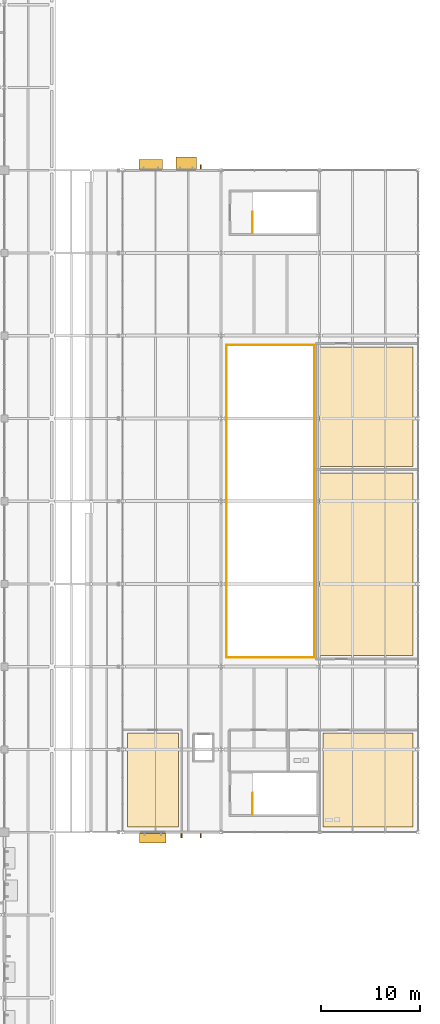
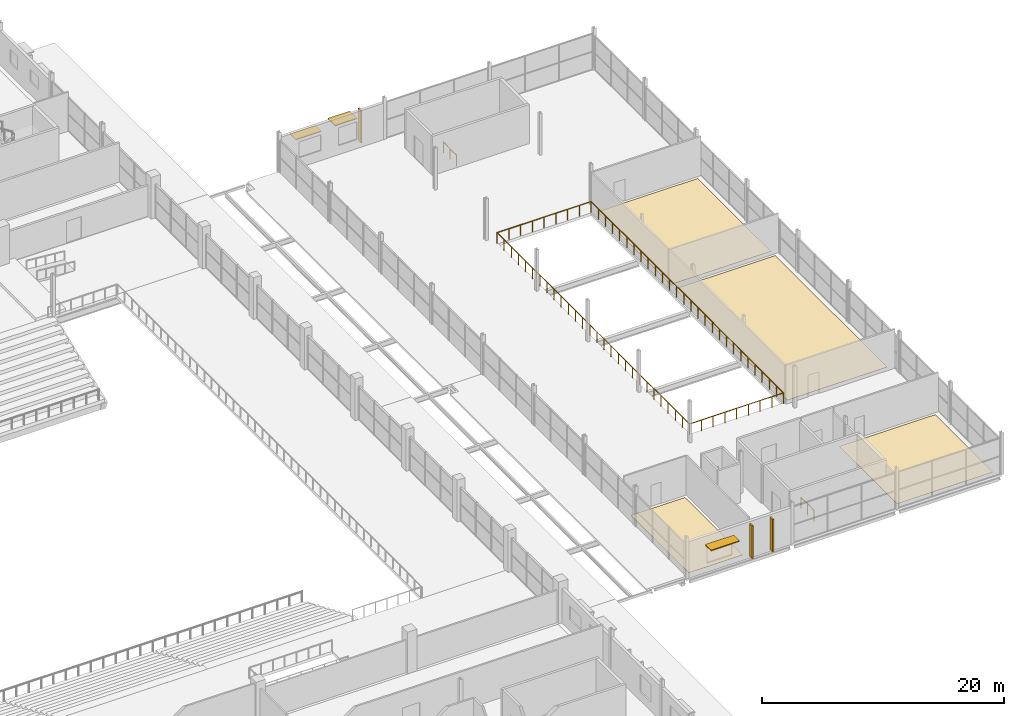
# One storey, part 160 of 161: 6 railings, 6 shading devices, 4 coverings.
"""IFC4 building model written with IfcOpenShell, lengths in metres."""

from ifc_helpers import new_model, si_unit, direction, frame, origin, origin_2d, place, context, subcontext, project, spatial, polyline, rectangle, circle, outline, extrude, material, layer, layer_set, type_object, element, save


model = new_model("IFC4")

# Units and contexts
model_context = context("Model", 3, precision=1e-05, world=origin(), true_north=direction((0.0, 1.0)))
body_context = subcontext(model_context, "Body", "Model", "MODEL_VIEW")
ifc_project = project(units=[si_unit("LENGTHUNIT", "METRE"), si_unit("AREAUNIT", "SQUARE_METRE"), si_unit("VOLUMEUNIT", "CUBIC_METRE"), si_unit("PLANEANGLEUNIT", "RADIAN"), si_unit("MASSUNIT", "GRAM", prefix="KILO"), si_unit("THERMODYNAMICTEMPERATUREUNIT", "KELVIN")], contexts=[model_context])

# Site, building, storey
site_placement = place(None, origin())
site = spatial("IfcSite", under=ifc_project, at=site_placement, CompositionType="ELEMENT")
building_placement = place(site_placement, origin())
building = spatial("IfcBuilding", under=site, at=building_placement, Name="Nduvali Passage Aquatics Centre", CompositionType="ELEMENT")
storey_placement = place(building_placement, frame((0.0, 0.0, 4.800048828125)))
storey = spatial("IfcBuildingStorey", under=building, at=storey_placement, Name="L01", CompositionType="ELEMENT", Elevation=4.800048828125)

# Shading devices
ifc_material_1 = material(Name="Glulam GL28h", Category="wood")
shading_device_type_1 = type_object("IfcShadingDeviceType", Name="ENV-SHD-FIN1", PredefinedType="USERDEFINED", material=ifc_material_1)
for number, where, z_axis, x_axis, name in (
    (1, (143.97607421875, 24.844970703125, 0.199951171875), (0.0, 0.0, 1.0), (1.0, 0.0, 0.0), "L01 Vertical Glulam Facade Fin 0137"),
    (2, (145.91796875, 24.844970703125, 0.199951171875), (0.0, 0.0, 1.0), (1.0, 0.0, 0.0), "L01 Vertical Glulam Facade Fin 0138"),
    (3, (145.91796875, 92.7548828125, 0.199951171875), (0.0, 0.0, 1.0), (-1.0, 0.0, 0.0), "L01 Vertical Glulam Facade Fin 0141"),
):
    element("IfcShadingDevice", number, at=place(storey_placement, frame(where, z_axis=z_axis, x_axis=x_axis)), inside=storey, type_object=shading_device_type_1, Name=name, ObjectType="VERTICAL FIN", PredefinedType="USERDEFINED", context=body_context, shape_type="SweptSolid", body=[
        extrude(rectangle(XDim=0.1201171875, YDim=0.43994140625, at=origin_2d()), origin(), (0.0, 0.0, 1.0), 3.27587890625),
    ])
ifc_material_2 = material(Name="Aluminium EN AW-6063 T6", Category="aluminium")
ifc_layer_1 = layer(ifc_material_2, 0.090087890625, Name="Aluminium EN AW-6063 T6")
ifc_layer_set_1 = layer_set([ifc_layer_1], Name="Aluminium EN AW-6063 T6")
shading_device_type_2 = type_object("IfcShadingDeviceType", Name="ENV-SHD-SUN1", PredefinedType="AWNING", material=ifc_layer_set_1)
shading_device_1_placement = place(storey_placement, frame((144.447021484375, 93.1298828125, 2.7548828125), z_axis=(0.0, 0.0, 1.0), x_axis=(-1.0, 0.0, 0.0)))
element("IfcShadingDevice", 4, at=shading_device_1_placement, inside=storey, type_object=shading_device_type_2, Name="L01 Horizontal Monsoon Sunshade 0139", PredefinedType="AWNING", context=body_context, shape_type="SweptSolid", body=[
    extrude(rectangle(XDim=2.10009765625, YDim=1.199951171875, at=origin_2d()), origin(), (0.0, 0.0, 1.0), 0.090087890625),
])
ifc_layer_2 = layer(ifc_material_2, 0.080078125, Name="Aluminium EN AW-6063 T6")
ifc_layer_set_2 = layer_set([ifc_layer_2], Name="Aluminium EN AW-6063 T6")
shading_device_type_3 = type_object("IfcShadingDeviceType", Name="ENV-SHD-SUN2", PredefinedType="AWNING", material=ifc_layer_set_2)
shading_device_2_placement = place(storey_placement, frame((141.06298828125, 24.594970703125, 2.760009765625), z_axis=(0.0, 0.0, 1.0), x_axis=(1.0, 0.0, 0.0)))
element("IfcShadingDevice", 5, at=shading_device_2_placement, inside=storey, type_object=shading_device_type_3, Name="L01 Horizontal Monsoon Sunshade 0136", PredefinedType="AWNING", context=body_context, shape_type="SweptSolid", body=[
    extrude(rectangle(XDim=2.699951171875, YDim=0.949951171875, at=origin_2d()), origin(), (0.0, 0.0, 1.0), 0.080078125),
])
shading_device_3_placement = place(storey_placement, frame((140.868896484375, 93.0048828125, 2.659912109375), z_axis=(0.0, 0.0, 1.0), x_axis=(-1.0, 0.0, 0.0)))
element("IfcShadingDevice", 6, at=shading_device_3_placement, inside=storey, type_object=shading_device_type_3, Name="L01 Horizontal Monsoon Sunshade 0140", PredefinedType="AWNING", context=body_context, shape_type="SweptSolid", body=[
    extrude(rectangle(XDim=2.39990234375, YDim=0.949951171875, at=origin_2d()), origin(), (0.0, 0.0, 1.0), 0.080078125),
])

# Coverings
ifc_material_3 = material(Name="Polished coral-aggregate terrazzo")
ifc_layer_3 = layer(ifc_material_3, 0.030029296875, Name="Polished coral-aggregate terrazzo")
ifc_layer_set_3 = layer_set([ifc_layer_3], Name="Polished coral-aggregate terrazzo")
covering_type_1 = type_object("IfcCoveringType", Name="INT-COV-TERRAZZO", PredefinedType="FLOORING", material=ifc_layer_set_3)
covering_1_placement = place(storey_placement, origin())
element("IfcCovering", 7, at=covering_1_placement, inside=storey, type_object=covering_type_1, Name="L01 Event Media Accreditation Office Floor Finish", PredefinedType="FLOORING", context=body_context, shape_type="SweptSolid", body=[
    extrude(outline(polyline([(138.510009765625, 25.7099609375), (143.64990234375, 25.7099609375), (143.64990234375, 35.25), (138.510009765625, 35.25), (138.510009765625, 25.7099609375)])), origin(), (0.0, 0.0, 1.0), 0.030029296875),
])
covering_2_placement = place(storey_placement, origin())
element("IfcCovering", 8, at=covering_2_placement, inside=storey, type_object=covering_type_1, Name="L01 World Aquatics Doping Control and Chaperone Suite Floor Finish", PredefinedType="FLOORING", context=body_context, shape_type="SweptSolid", body=[
    extrude(outline(polyline([(157.949951171875, 43.14990234375), (167.489990234375, 43.14990234375), (167.489990234375, 61.64990234375), (157.949951171875, 61.64990234375), (157.949951171875, 43.14990234375)])), origin(), (0.0, 0.0, 1.0), 0.030029296875),
])
covering_3_placement = place(storey_placement, origin())
element("IfcCovering", 9, at=covering_3_placement, inside=storey, type_object=covering_type_1, Name="L01 Competition Jury, Timing and Officials Suite Floor Finish", PredefinedType="FLOORING", context=body_context, shape_type="SweptSolid", body=[
    extrude(outline(polyline([(157.949951171875, 62.35009765625), (167.489990234375, 62.35009765625), (167.489990234375, 74.449951171875), (157.949951171875, 74.449951171875), (157.949951171875, 62.35009765625)])), origin(), (0.0, 0.0, 1.0), 0.030029296875),
])
ifc_material_4 = material(Name="Anti-slip ceramic pool deck tile")
ifc_layer_4 = layer(ifc_material_4, 0.02490234375, Name="Anti-slip ceramic pool deck tile")
ifc_layer_set_4 = layer_set([ifc_layer_4], Name="Anti-slip ceramic pool deck tile")
covering_type_2 = type_object("IfcCoveringType", Name="INT-COV-TILE", PredefinedType="FLOORING", material=ifc_layer_set_4)
covering_4_placement = place(storey_placement, origin())
element("IfcCovering", 10, at=covering_4_placement, inside=storey, type_object=covering_type_2, Name="L01 Upper Pavilion Public and Doping Sample WCs Floor Finish", PredefinedType="FLOORING", context=body_context, shape_type="SweptSolid", body=[
    extrude(outline(polyline([(158.35009765625, 25.7099609375), (167.489990234375, 25.7099609375), (167.489990234375, 35.25), (158.35009765625, 35.25), (158.35009765625, 25.7099609375)])), origin(), (0.0, 0.0, 1.0), 0.02490234375),
])

# Railings
ifc_material_5 = material(Name="Stainless steel balustrade", Category="steel")
railing_type = type_object("IfcRailingType", Name="INT-RLG-GRD110", PredefinedType="GUARDRAIL", material=ifc_material_5)
for number, where, name in (
    (11, (151.199951171875, 27.0, 0.0), "L01 ST7 top well guard 1"),
    (12, (151.199951171875, 86.0, 0.0), "L01 ST8 top well guard 1"),
):
    element("IfcRailing", number, at=place(storey_placement, frame(where)), inside=storey, type_object=railing_type, Name=name, PredefinedType="GUARDRAIL", context=body_context, shape_type="SweptSolid", body=[
        extrude(circle(Radius=0.02392578125, at=origin_2d()), frame((0.0, 0.0, 1.076171875), z_axis=(0.0, 1.0, 0.0), x_axis=(-1.0, 0.0, 0.0)), (0.0, 0.0, 1.0), 2.169921875),
        extrude(circle(Radius=0.02099609375, at=origin_2d()), origin(), (0.0, 0.0, 1.0), 1.052001953125),
        extrude(circle(Radius=0.02099609375, at=origin_2d()), frame((0.0, 1.0849609375, 0.0)), (0.0, 0.0, 1.0), 1.052001953125),
        extrude(circle(Radius=0.02099609375, at=origin_2d()), frame((0.0, 2.169921875, 0.0)), (0.0, 0.0, 1.0), 1.052001953125),
    ])
railing_1_placement = place(storey_placement, frame((148.52001953125, 42.919921875, 0.0)))
element("IfcRailing", 13, at=railing_1_placement, inside=storey, type_object=railing_type, Name="L01 Entrance Foyer Atrium South Balustrade", PredefinedType="GUARDRAIL", context=body_context, shape_type="SweptSolid", body=[
    extrude(circle(Radius=0.02392578125, at=origin_2d()), frame((0.0, 0.0, 1.076171875), z_axis=(1.0, 0.0, 0.0), x_axis=(0.0, 1.0, 0.0)), (0.0, 0.0, 1.0), 8.9599609375),
    extrude(circle(Radius=0.02099609375, at=origin_2d()), origin(), (0.0, 0.0, 1.0), 1.052001953125),
    extrude(circle(Radius=0.02099609375, at=origin_2d()), frame((1.1201171875, 0.0, 0.0)), (0.0, 0.0, 1.0), 1.052001953125),
    extrude(circle(Radius=0.02099609375, at=origin_2d()), frame((2.239990234375, 0.0, 0.0)), (0.0, 0.0, 1.0), 1.052001953125),
    extrude(circle(Radius=0.02099609375, at=origin_2d()), frame((3.35986328125, 0.0, 0.0)), (0.0, 0.0, 1.0), 1.052001953125),
    extrude(circle(Radius=0.02099609375, at=origin_2d()), frame((4.47998046875, 0.0, 0.0)), (0.0, 0.0, 1.0), 1.052001953125),
    extrude(circle(Radius=0.02099609375, at=origin_2d()), frame((5.60009765625, 0.0, 0.0)), (0.0, 0.0, 1.0), 1.052001953125),
    extrude(circle(Radius=0.02099609375, at=origin_2d()), frame((6.719970703125, 0.0, 0.0)), (0.0, 0.0, 1.0), 1.052001953125),
    extrude(circle(Radius=0.02099609375, at=origin_2d()), frame((7.83984375, 0.0, 0.0)), (0.0, 0.0, 1.0), 1.052001953125),
    extrude(circle(Radius=0.02099609375, at=origin_2d()), frame((8.9599609375, 0.0, 0.0)), (0.0, 0.0, 1.0), 1.052001953125),
])
railing_2_placement = place(storey_placement, frame((157.47998046875, 42.919921875, 0.0)))
element("IfcRailing", 14, at=railing_2_placement, inside=storey, type_object=railing_type, Name="L01 Entrance Foyer Atrium East Balustrade", PredefinedType="GUARDRAIL", context=body_context, shape_type="SweptSolid", body=[
    extrude(circle(Radius=0.02392578125, at=origin_2d()), frame((0.0, 0.0, 1.076171875), z_axis=(0.0, 1.0, 0.0), x_axis=(-1.0, 0.0, 0.0)), (0.0, 0.0, 1.0), 31.760009765625),
    extrude(circle(Radius=0.02099609375, at=origin_2d()), origin(), (0.0, 0.0, 1.0), 1.052001953125),
    extrude(circle(Radius=0.02099609375, at=origin_2d()), frame((0.0, 1.17626953125, 0.0)), (0.0, 0.0, 1.0), 1.052001953125),
    extrude(circle(Radius=0.02099609375, at=origin_2d()), frame((0.0, 2.3525390625, 0.0)), (0.0, 0.0, 1.0), 1.052001953125),
    extrude(circle(Radius=0.02099609375, at=origin_2d()), frame((0.0, 3.52880859375, 0.0)), (0.0, 0.0, 1.0), 1.052001953125),
    extrude(circle(Radius=0.02099609375, at=origin_2d()), frame((0.0, 4.705078125, 0.0)), (0.0, 0.0, 1.0), 1.052001953125),
    extrude(circle(Radius=0.02099609375, at=origin_2d()), frame((0.0, 5.881591796875, 0.0)), (0.0, 0.0, 1.0), 1.052001953125),
    extrude(circle(Radius=0.02099609375, at=origin_2d()), frame((0.0, 7.057861328125, 0.0)), (0.0, 0.0, 1.0), 1.052001953125),
    extrude(circle(Radius=0.02099609375, at=origin_2d()), frame((0.0, 8.234130859375, 0.0)), (0.0, 0.0, 1.0), 1.052001953125),
    extrude(circle(Radius=0.02099609375, at=origin_2d()), frame((0.0, 9.410400390625, 0.0)), (0.0, 0.0, 1.0), 1.052001953125),
    extrude(circle(Radius=0.02099609375, at=origin_2d()), frame((0.0, 10.586669921875, 0.0)), (0.0, 0.0, 1.0), 1.052001953125),
    extrude(circle(Radius=0.02099609375, at=origin_2d()), frame((0.0, 11.762939453125, 0.0)), (0.0, 0.0, 1.0), 1.052001953125),
    extrude(circle(Radius=0.02099609375, at=origin_2d()), frame((0.0, 12.939208984375, 0.0)), (0.0, 0.0, 1.0), 1.052001953125),
    extrude(circle(Radius=0.02099609375, at=origin_2d()), frame((0.0, 14.115478515625, 0.0)), (0.0, 0.0, 1.0), 1.052001953125),
    extrude(circle(Radius=0.02099609375, at=origin_2d()), frame((0.0, 15.291748046875, 0.0)), (0.0, 0.0, 1.0), 1.052001953125),
    extrude(circle(Radius=0.02099609375, at=origin_2d()), frame((0.0, 16.46826171875, 0.0)), (0.0, 0.0, 1.0), 1.052001953125),
    extrude(circle(Radius=0.02099609375, at=origin_2d()), frame((0.0, 17.64453125, 0.0)), (0.0, 0.0, 1.0), 1.052001953125),
    extrude(circle(Radius=0.02099609375, at=origin_2d()), frame((0.0, 18.82080078125, 0.0)), (0.0, 0.0, 1.0), 1.052001953125),
    extrude(circle(Radius=0.02099609375, at=origin_2d()), frame((0.0, 19.9970703125, 0.0)), (0.0, 0.0, 1.0), 1.052001953125),
    extrude(circle(Radius=0.02099609375, at=origin_2d()), frame((0.0, 21.17333984375, 0.0)), (0.0, 0.0, 1.0), 1.052001953125),
    extrude(circle(Radius=0.02099609375, at=origin_2d()), frame((0.0, 22.349609375, 0.0)), (0.0, 0.0, 1.0), 1.052001953125),
    extrude(circle(Radius=0.02099609375, at=origin_2d()), frame((0.0, 23.52587890625, 0.0)), (0.0, 0.0, 1.0), 1.052001953125),
    extrude(circle(Radius=0.02099609375, at=origin_2d()), frame((0.0, 24.7021484375, 0.0)), (0.0, 0.0, 1.0), 1.052001953125),
    extrude(circle(Radius=0.02099609375, at=origin_2d()), frame((0.0, 25.87841796875, 0.0)), (0.0, 0.0, 1.0), 1.052001953125),
    extrude(circle(Radius=0.02099609375, at=origin_2d()), frame((0.0, 27.054931640625, 0.0)), (0.0, 0.0, 1.0), 1.052001953125),
    extrude(circle(Radius=0.02099609375, at=origin_2d()), frame((0.0, 28.231201171875, 0.0)), (0.0, 0.0, 1.0), 1.052001953125),
    extrude(circle(Radius=0.02099609375, at=origin_2d()), frame((0.0, 29.407470703125, 0.0)), (0.0, 0.0, 1.0), 1.052001953125),
    extrude(circle(Radius=0.02099609375, at=origin_2d()), frame((0.0, 30.583740234375, 0.0)), (0.0, 0.0, 1.0), 1.052001953125),
    extrude(circle(Radius=0.02099609375, at=origin_2d()), frame((0.0, 31.760009765625, 0.0)), (0.0, 0.0, 1.0), 1.052001953125),
])
railing_3_placement = place(storey_placement, frame((157.47998046875, 74.679931640625, 0.0)))
element("IfcRailing", 15, at=railing_3_placement, inside=storey, type_object=railing_type, Name="L01 Entrance Foyer Atrium North Balustrade", PredefinedType="GUARDRAIL", context=body_context, shape_type="SweptSolid", body=[
    extrude(circle(Radius=0.02392578125, at=origin_2d()), frame((0.0, 0.0, 1.076171875), z_axis=(-1.0, 0.0, 0.0), x_axis=(0.0, -1.0, 0.0)), (0.0, 0.0, 1.0), 8.9599609375),
    extrude(circle(Radius=0.02099609375, at=origin_2d()), origin(), (0.0, 0.0, 1.0), 1.052001953125),
    extrude(circle(Radius=0.02099609375, at=origin_2d()), frame((-1.1201171875, 0.0, 0.0)), (0.0, 0.0, 1.0), 1.052001953125),
    extrude(circle(Radius=0.02099609375, at=origin_2d()), frame((-2.239990234375, 0.0, 0.0)), (0.0, 0.0, 1.0), 1.052001953125),
    extrude(circle(Radius=0.02099609375, at=origin_2d()), frame((-3.35986328125, 0.0, 0.0)), (0.0, 0.0, 1.0), 1.052001953125),
    extrude(circle(Radius=0.02099609375, at=origin_2d()), frame((-4.47998046875, 0.0, 0.0)), (0.0, 0.0, 1.0), 1.052001953125),
    extrude(circle(Radius=0.02099609375, at=origin_2d()), frame((-5.60009765625, 0.0, 0.0)), (0.0, 0.0, 1.0), 1.052001953125),
    extrude(circle(Radius=0.02099609375, at=origin_2d()), frame((-6.719970703125, 0.0, 0.0)), (0.0, 0.0, 1.0), 1.052001953125),
    extrude(circle(Radius=0.02099609375, at=origin_2d()), frame((-7.83984375, 0.0, 0.0)), (0.0, 0.0, 1.0), 1.052001953125),
    extrude(circle(Radius=0.02099609375, at=origin_2d()), frame((-8.9599609375, 0.0, 0.0)), (0.0, 0.0, 1.0), 1.052001953125),
])
railing_4_placement = place(storey_placement, frame((148.52001953125, 74.679931640625, 0.0)))
element("IfcRailing", 16, at=railing_4_placement, inside=storey, type_object=railing_type, Name="L01 Entrance Foyer Atrium West Balustrade", PredefinedType="GUARDRAIL", context=body_context, shape_type="SweptSolid", body=[
    extrude(circle(Radius=0.02392578125, at=origin_2d()), frame((0.0, 0.0, 1.076171875), z_axis=(0.0, -1.0, 0.0), x_axis=(1.0, 0.0, 0.0)), (0.0, 0.0, 1.0), 31.760009765625),
    extrude(circle(Radius=0.02099609375, at=origin_2d()), origin(), (0.0, 0.0, 1.0), 1.052001953125),
    extrude(circle(Radius=0.02099609375, at=origin_2d()), frame((0.0, -1.17626953125, 0.0)), (0.0, 0.0, 1.0), 1.052001953125),
    extrude(circle(Radius=0.02099609375, at=origin_2d()), frame((0.0, -2.3525390625, 0.0)), (0.0, 0.0, 1.0), 1.052001953125),
    extrude(circle(Radius=0.02099609375, at=origin_2d()), frame((0.0, -3.52880859375, 0.0)), (0.0, 0.0, 1.0), 1.052001953125),
    extrude(circle(Radius=0.02099609375, at=origin_2d()), frame((0.0, -4.705078125, 0.0)), (0.0, 0.0, 1.0), 1.052001953125),
    extrude(circle(Radius=0.02099609375, at=origin_2d()), frame((0.0, -5.881591796875, 0.0)), (0.0, 0.0, 1.0), 1.052001953125),
    extrude(circle(Radius=0.02099609375, at=origin_2d()), frame((0.0, -7.057861328125, 0.0)), (0.0, 0.0, 1.0), 1.052001953125),
    extrude(circle(Radius=0.02099609375, at=origin_2d()), frame((0.0, -8.234130859375, 0.0)), (0.0, 0.0, 1.0), 1.052001953125),
    extrude(circle(Radius=0.02099609375, at=origin_2d()), frame((0.0, -9.410400390625, 0.0)), (0.0, 0.0, 1.0), 1.052001953125),
    extrude(circle(Radius=0.02099609375, at=origin_2d()), frame((0.0, -10.586669921875, 0.0)), (0.0, 0.0, 1.0), 1.052001953125),
    extrude(circle(Radius=0.02099609375, at=origin_2d()), frame((0.0, -11.762939453125, 0.0)), (0.0, 0.0, 1.0), 1.052001953125),
    extrude(circle(Radius=0.02099609375, at=origin_2d()), frame((0.0, -12.939208984375, 0.0)), (0.0, 0.0, 1.0), 1.052001953125),
    extrude(circle(Radius=0.02099609375, at=origin_2d()), frame((0.0, -14.115478515625, 0.0)), (0.0, 0.0, 1.0), 1.052001953125),
    extrude(circle(Radius=0.02099609375, at=origin_2d()), frame((0.0, -15.291748046875, 0.0)), (0.0, 0.0, 1.0), 1.052001953125),
    extrude(circle(Radius=0.02099609375, at=origin_2d()), frame((0.0, -16.46826171875, 0.0)), (0.0, 0.0, 1.0), 1.052001953125),
    extrude(circle(Radius=0.02099609375, at=origin_2d()), frame((0.0, -17.64453125, 0.0)), (0.0, 0.0, 1.0), 1.052001953125),
    extrude(circle(Radius=0.02099609375, at=origin_2d()), frame((0.0, -18.82080078125, 0.0)), (0.0, 0.0, 1.0), 1.052001953125),
    extrude(circle(Radius=0.02099609375, at=origin_2d()), frame((0.0, -19.9970703125, 0.0)), (0.0, 0.0, 1.0), 1.052001953125),
    extrude(circle(Radius=0.02099609375, at=origin_2d()), frame((0.0, -21.17333984375, 0.0)), (0.0, 0.0, 1.0), 1.052001953125),
    extrude(circle(Radius=0.02099609375, at=origin_2d()), frame((0.0, -22.349609375, 0.0)), (0.0, 0.0, 1.0), 1.052001953125),
    extrude(circle(Radius=0.02099609375, at=origin_2d()), frame((0.0, -23.52587890625, 0.0)), (0.0, 0.0, 1.0), 1.052001953125),
    extrude(circle(Radius=0.02099609375, at=origin_2d()), frame((0.0, -24.7021484375, 0.0)), (0.0, 0.0, 1.0), 1.052001953125),
    extrude(circle(Radius=0.02099609375, at=origin_2d()), frame((0.0, -25.87841796875, 0.0)), (0.0, 0.0, 1.0), 1.052001953125),
    extrude(circle(Radius=0.02099609375, at=origin_2d()), frame((0.0, -27.054931640625, 0.0)), (0.0, 0.0, 1.0), 1.052001953125),
    extrude(circle(Radius=0.02099609375, at=origin_2d()), frame((0.0, -28.231201171875, 0.0)), (0.0, 0.0, 1.0), 1.052001953125),
    extrude(circle(Radius=0.02099609375, at=origin_2d()), frame((0.0, -29.407470703125, 0.0)), (0.0, 0.0, 1.0), 1.052001953125),
    extrude(circle(Radius=0.02099609375, at=origin_2d()), frame((0.0, -30.583740234375, 0.0)), (0.0, 0.0, 1.0), 1.052001953125),
    extrude(circle(Radius=0.02099609375, at=origin_2d()), frame((0.0, -31.760009765625, 0.0)), (0.0, 0.0, 1.0), 1.052001953125),
])

save(model, "model.ifc")
